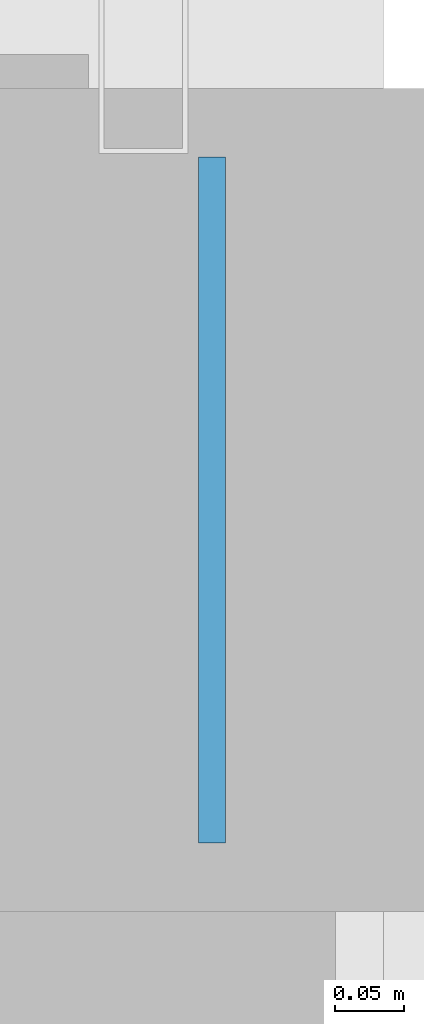
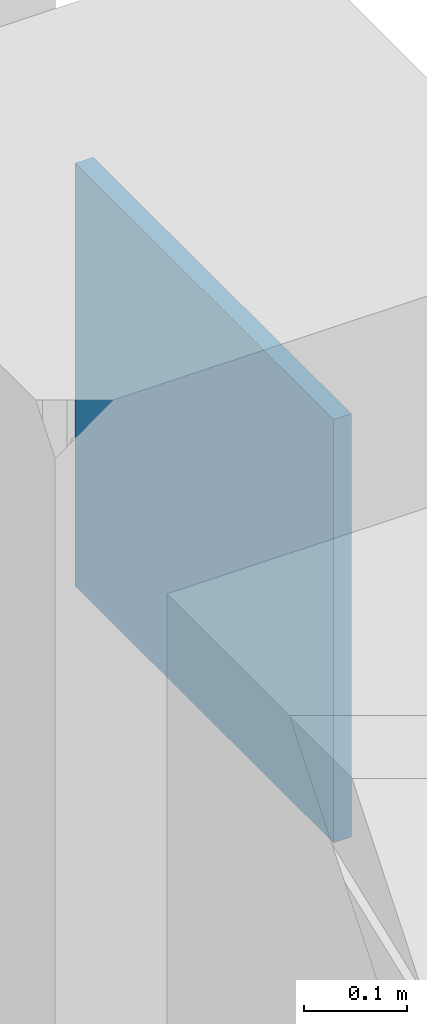
# One storey, part 71 of 83: 1 plate.
"""IFC4 building model written with IfcOpenShell, lengths in metres."""

from ifc_helpers import new_model, si_unit, direction, frame, origin, origin_2d, place, context, subcontext, project, spatial, rectangle, extrude, material, layer, layer_set, type_object, element, save


model = new_model("IFC4")

# Units and contexts
model_context = context("Model", 3, precision=1e-05, world=origin(), true_north=direction((0.0, 1.0)))
body_context = subcontext(model_context, "Body", "Model", "MODEL_VIEW")
ifc_project = project(units=[si_unit("LENGTHUNIT", "METRE"), si_unit("AREAUNIT", "SQUARE_METRE"), si_unit("VOLUMEUNIT", "CUBIC_METRE"), si_unit("PLANEANGLEUNIT", "RADIAN"), si_unit("MASSUNIT", "GRAM", prefix="KILO")], contexts=[model_context])

# Site, building, storey
site_placement = place(None, origin())
site = spatial("IfcSite", under=ifc_project, at=site_placement, CompositionType="ELEMENT")
building_placement = place(site_placement, origin())
building = spatial("IfcBuilding", under=site, at=building_placement, Name="Pandanus Reach Market Hall", CompositionType="ELEMENT")
storey_placement = place(building_placement, frame((0.0, 0.0, 10.199951171875)))
storey = spatial("IfcBuildingStorey", under=building, at=storey_placement, Name="L02", CompositionType="ELEMENT", Elevation=10.199951171875)

# Plate
ifc_material = material(Name="Steel Grade 350 (350 MPa)", Category="steel")
ifc_layer = layer(ifc_material, 0.02001953125, Name="GS-PL20")
ifc_layer_set = layer_set([ifc_layer], Name="Steel Grade 350 (350 MPa)")
plate_type = type_object("IfcPlateType", Name="GS-PL20", PredefinedType="SHEET", material=ifc_layer_set)
plate_placement = place(storey_placement, frame((180.050048828125, 76.800048828125, 3.550048828125), z_axis=(0.0, 0.0, 1.0), x_axis=(1.0, 0.0, 0.0)))
element("IfcPlate", 1, at=plate_placement, inside=storey, type_object=plate_type, Name="Diagrid rib end anchorage plate GS-PL20 4B", PredefinedType="SHEET", context=body_context, shape_type="SweptSolid", body=[
    extrude(rectangle(XDim=0.02001953125, YDim=0.5, at=origin_2d()), origin(), (0.0, 0.0, 1.0), 0.5),
])

save(model, "model.ifc")
